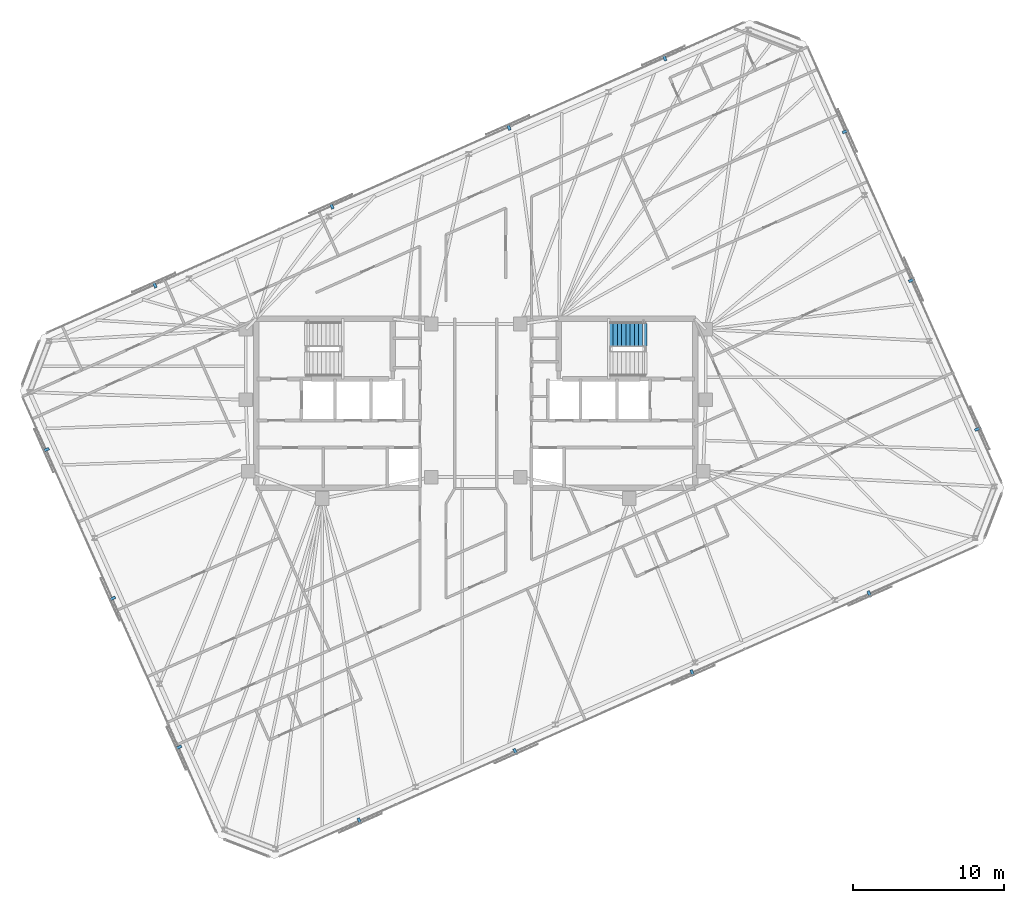
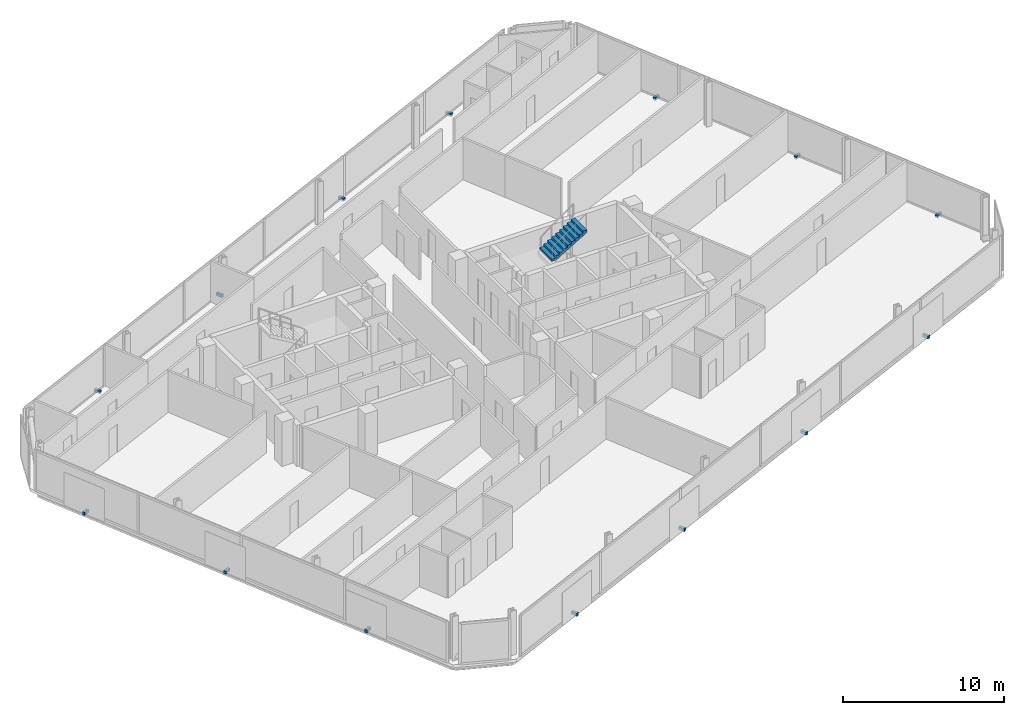
# One storey, part 17 of 18: 14 discrete accessories, 1 stair flight, 1 element without a shape of its own.
"""IFC4 building model written with IfcOpenShell, lengths in metres."""

from ifc_helpers import new_model, si_unit, direction, frame, origin, origin_2d, place, context, subcontext, project, spatial, polyline, rectangle, outline, extrude, material, type_object, element, aggregate, save


model = new_model("IFC4")

# Units and contexts
model_context = context("Model", 3, precision=1e-05, world=origin(), true_north=direction((0.0, 1.0)))
body_context = subcontext(model_context, "Body", "Model", "MODEL_VIEW")
ifc_project = project(units=[si_unit("LENGTHUNIT", "METRE"), si_unit("AREAUNIT", "SQUARE_METRE"), si_unit("VOLUMEUNIT", "CUBIC_METRE"), si_unit("PLANEANGLEUNIT", "RADIAN"), si_unit("MASSUNIT", "GRAM", prefix="KILO")], contexts=[model_context])

# Site, building, storey
site_placement = place(None, origin())
site = spatial("IfcSite", under=ifc_project, at=site_placement, CompositionType="ELEMENT")
building_placement = place(site_placement, origin())
building = spatial("IfcBuilding", under=site, at=building_placement, Name="Menara Jurai Vektor", CompositionType="ELEMENT")
storey_placement = place(building_placement, frame((0.0, 0.0, 285.25)))
storey = spatial("IfcBuildingStorey", under=building, at=storey_placement, Name="L76", CompositionType="ELEMENT", Elevation=285.25)

# Stair, stair flight
ifc_material_1 = material(Name="Concrete C40/50", Category="concrete")
stair_type = type_object("IfcStairType", Name="STAIR-DOGLEG-1500", PredefinedType="HALF_TURN_STAIR", material=ifc_material_1)
stair_placement = place(storey_placement, origin())
stair = element("IfcStair", 1, at=stair_placement, inside=storey, type_object=stair_type, Name="Protected Exit Stair ST2 L76", PredefinedType="HALF_TURN_STAIR")
stair_flight_type = type_object("IfcStairFlightType", Name="STAIR-FLIGHT-1500", PredefinedType="STRAIGHT", material=ifc_material_1)
stair_flight_placement = place(storey_placement, frame((8.830078125, 4.550048828125, 1.675048828125), z_axis=(0.0, 0.0, 1.0), x_axis=(1.0, 0.0, 0.0)))
stair_flight = element("IfcStairFlight", 2, at=stair_flight_placement, type_object=stair_flight_type, Name="ST2 flight 2", NumberOfRisers=10, NumberOfTreads=9, PredefinedType="STRAIGHT", RiserHeight=0.1675, TreadLength=0.28, context=body_context, shape_type="SweptSolid", body=[
    extrude(outline(polyline([(0.0, 0.0), (0.0, 0.16748046875), (0.280029296875, 0.16748046875), (0.280029296875, 0.3349609375), (0.56005859375, 0.3349609375), (0.56005859375, 0.50244140625), (0.840087890625, 0.50244140625), (0.840087890625, 0.669921875), (1.1201171875, 0.669921875), (1.1201171875, 0.83740234375), (1.39990234375, 0.83740234375), (1.39990234375, 1.0048828125), (1.679931640625, 1.0048828125), (1.679931640625, 1.172607421875), (1.9599609375, 1.172607421875), (1.9599609375, 1.340087890625), (2.239990234375, 1.340087890625), (2.239990234375, 1.507568359375), (2.52001953125, 1.507568359375), (2.52001953125, 1.675048828125), (2.52001953125, 1.321044921875), (0.3115234375, 0.0), (0.0, 0.0)])), frame((0.0, 0.75, 0.0), z_axis=(0.0, -1.0, 0.0), x_axis=(1.0, 0.0, 0.0)), (0.0, 0.0, 1.0), 1.5),
])
aggregate(stair, [stair_flight])

# Discrete accessories
ifc_material_2 = material(Name="Steel S355", Category="steel")
discrete_accessory_type = type_object("IfcDiscreteAccessoryType", Name="ENV-ACC-BRACKET", PredefinedType="BRACKET", material=ifc_material_2)
for number, where, z_axis, x_axis, name in (
    (3, (-7.711181640625, -27.7109375, -0.1298828125), (0.0, 0.0, 1.0), (0.913545457643, 0.406736643076, 0.0), "Solar Screen Stand-Off Bracket L76-S01"),
    (4, (2.619140625, -23.111572265625, -0.1298828125), (0.0, 0.0, 1.0), (0.913545457643, 0.406736643076, 0.0), "Solar Screen Stand-Off Bracket L76-S02"),
    (5, (14.358154296875, -17.885009765625, -0.1298828125), (0.0, 0.0, 1.0), (0.913545457643, 0.406736643076, 0.0), "Solar Screen Stand-Off Bracket L76-S03"),
    (6, (26.09716796875, -12.658203125, -0.1298828125), (0.0, 0.0, 1.0), (0.913545457643, 0.406736643076, 0.0), "Solar Screen Stand-Off Bracket L76-S04"),
    (7, (33.29931640625, -1.706298828125, -0.1298828125), (0.0, 0.0, 1.0), (-0.406736643076, 0.913545457643, 0.0), "Solar Screen Stand-Off Bracket L76-S05"),
    (8, (28.906494140625, 8.16015625, -0.1298828125), (0.0, 0.0, 1.0), (-0.406736643076, 0.913545457643, 0.0), "Solar Screen Stand-Off Bracket L76-S06"),
    (9, (24.513671875, 18.0263671875, -0.1298828125), (0.0, 0.0, 1.0), (-0.406736643076, 0.913545457643, 0.0), "Solar Screen Stand-Off Bracket L76-S07"),
    (10, (12.51123046875, 22.910888671875, -0.1298828125), (0.0, 0.0, 1.0), (-0.913545457643, -0.406736643076, 0.0), "Solar Screen Stand-Off Bracket L76-S08"),
    (11, (2.180908203125, 18.3115234375, -0.1298828125), (0.0, 0.0, 1.0), (-0.913545457643, -0.406736643076, 0.0), "Solar Screen Stand-Off Bracket L76-S09"),
    (12, (-9.55810546875, 13.0849609375, -0.1298828125), (0.0, 0.0, 1.0), (-0.913545457643, -0.406736643076, 0.0), "Solar Screen Stand-Off Bracket L76-S10"),
    (13, (-21.297119140625, 7.8583984375, -0.1298828125), (0.0, 0.0, 1.0), (-0.913545457643, -0.406736643076, 0.0), "Solar Screen Stand-Off Bracket L76-S11"),
    (14, (-28.499267578125, -3.09375, -0.1298828125), (0.0, 0.0, 1.0), (0.406736643076, -0.913545457643, 0.0), "Solar Screen Stand-Off Bracket L76-S12"),
    (15, (-24.1064453125, -12.960205078125, -0.1298828125), (0.0, 0.0, 1.0), (0.406736643076, -0.913545457643, 0.0), "Solar Screen Stand-Off Bracket L76-S13"),
    (16, (-19.713623046875, -22.826416015625, -0.1298828125), (0.0, 0.0, 1.0), (0.406736643076, -0.913545457643, 0.0), "Solar Screen Stand-Off Bracket L76-S14"),
):
    element("IfcDiscreteAccessory", number, at=place(storey_placement, frame(where, z_axis=z_axis, x_axis=x_axis)), inside=storey, type_object=discrete_accessory_type, Name=name, PredefinedType="BRACKET", context=body_context, shape_type="SweptSolid", body=[
        extrude(rectangle(XDim=0.179931640625, YDim=0.43994140625, at=origin_2d()), origin(), (0.0, 0.0, 1.0), 0.219970703125),
    ])

save(model, "model.ifc")
